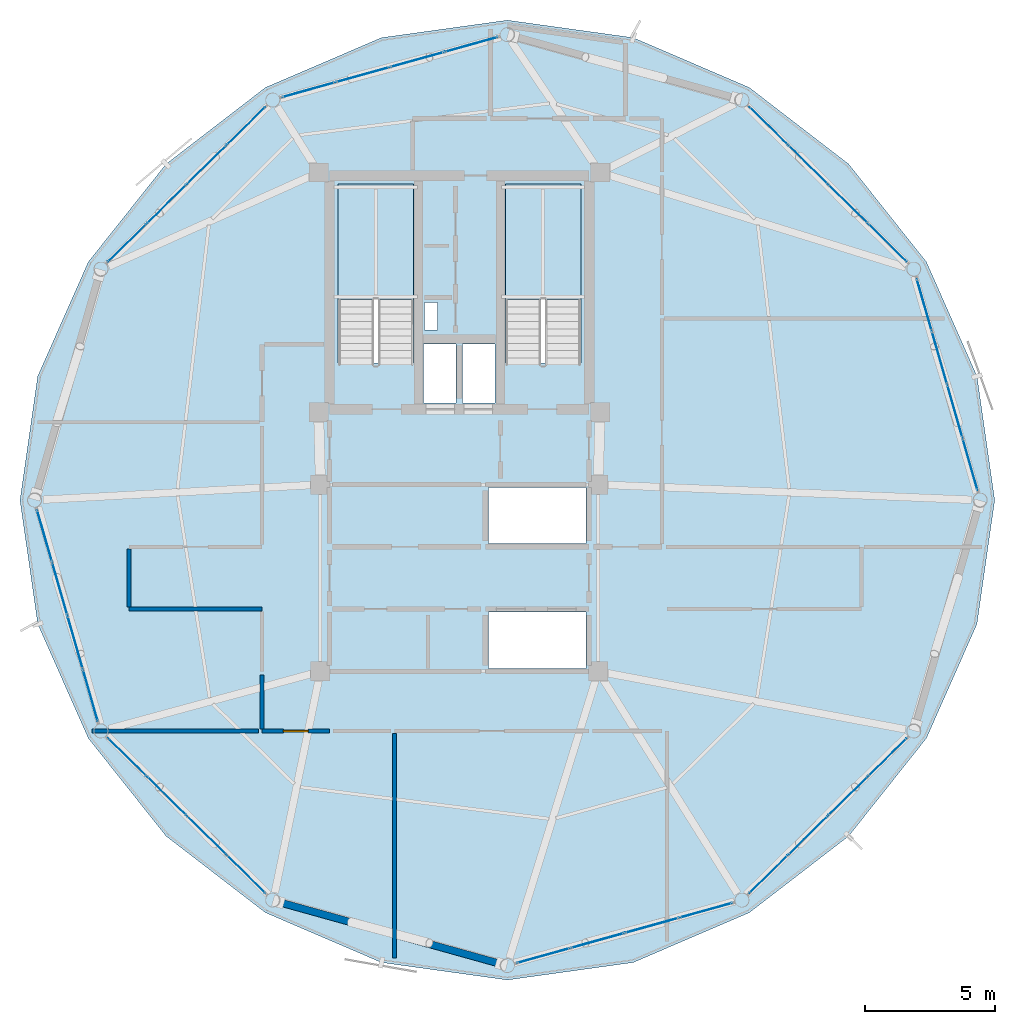
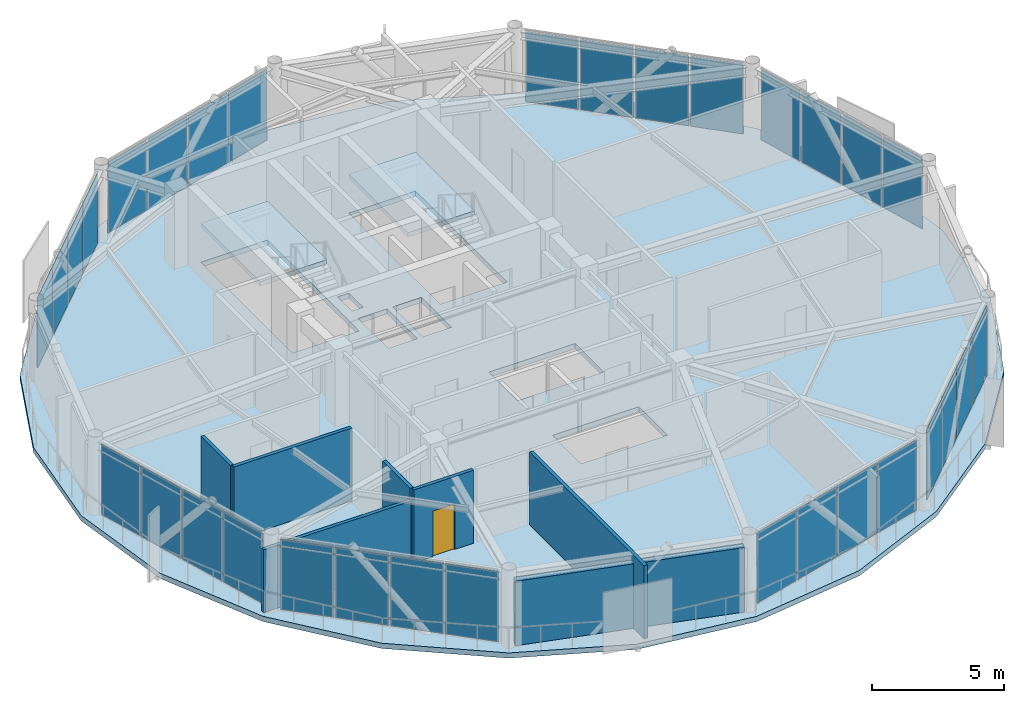
# One storey, part 20 of 27: 32 plates, 7 walls, 3 slabs, 1 door, 1 opening, 10 elements without a shape of their own.
"""IFC4 building model written with IfcOpenShell, lengths in metres."""

from ifc_helpers import new_model, si_unit, direction, frame, frame_2d, origin, origin_2d, place, context, subcontext, project, spatial, polyline, rectangle, outline, extrude, source, transform, mapped, material, layer, layer_set, type_object, type_shapes, element, fill, aggregate, save


model = new_model("IFC4")

# Units and contexts
model_context = context("Model", 3, precision=1e-05, world=origin(), true_north=direction((0.0, 1.0)))
body_context = subcontext(model_context, "Body", "Model", "MODEL_VIEW")
ifc_project = project(units=[si_unit("LENGTHUNIT", "METRE"), si_unit("AREAUNIT", "SQUARE_METRE"), si_unit("VOLUMEUNIT", "CUBIC_METRE"), si_unit("PLANEANGLEUNIT", "RADIAN"), si_unit("MASSUNIT", "GRAM", prefix="KILO")], contexts=[model_context])

# Site, building, storey
site_placement = place(None, origin())
site = spatial("IfcSite", under=ifc_project, at=site_placement, CompositionType="ELEMENT")
building_placement = place(site_placement, origin())
building = spatial("IfcBuilding", under=site, at=building_placement, Name="Varnakorn Sky Granary", CompositionType="ELEMENT")
storey_placement = place(building_placement, frame((0.0, 0.0, 263.39990234375)))
storey = spatial("IfcBuildingStorey", under=building, at=storey_placement, Name="L67", CompositionType="ELEMENT", Elevation=263.39990234375)

# Stair, slab
ifc_material_1 = material(Name="Concrete C40/50", Category="concrete")
stair_type = type_object("IfcStairType", Name="ST-MAIN-ASSEMBLY", PredefinedType="HALF_TURN_STAIR", material=ifc_material_1)
stair_1_placement = place(storey_placement, origin())
stair_1 = element("IfcStair", 1, at=stair_1_placement, inside=storey, type_object=stair_type, Name="L67 Protected Exit Stair ST-1", PredefinedType="HALF_TURN_STAIR")
ifc_layer_1 = layer(ifc_material_1, 0.199951171875, Name="Concrete C40/50")
ifc_layer_set_1 = layer_set([ifc_layer_1], Name="Concrete C40/50")
slab_type_1 = type_object("IfcSlabType", Name="ST-MAIN-LAND", PredefinedType="LANDING", material=ifc_layer_set_1)
slab_1_placement = place(storey_placement, frame((0.0, 0.0, 1.60009765625)))
slab_1 = element("IfcSlab", 2, at=slab_1_placement, type_object=slab_type_1, Name="ST-1 landing 1", PredefinedType="LANDING", context=body_context, shape_type="SweptSolid", body=[
    extrude(outline(polyline([(1.239990234375, 7.719970703125), (1.239990234375, 12.179931640625), (-1.669921875, 12.179931640625), (-1.669921875, 7.719970703125), (1.239990234375, 7.719970703125)])), origin(), (0.0, 0.0, 1.0), 0.199951171875),
])
aggregate(stair_1, [slab_1])

stair_2_placement = place(storey_placement, origin())
stair_2 = element("IfcStair", 3, at=stair_2_placement, inside=storey, type_object=stair_type, Name="L67 Protected Exit Stair ST-2", PredefinedType="HALF_TURN_STAIR")
slab_2_placement = place(storey_placement, frame((0.0, 0.0, 1.60009765625)))
slab_2 = element("IfcSlab", 4, at=slab_2_placement, type_object=slab_type_1, Name="ST-2 landing 1", PredefinedType="LANDING", context=body_context, shape_type="SweptSolid", body=[
    extrude(outline(polyline([(7.679931640625, 7.719970703125), (7.679931640625, 12.179931640625), (4.77001953125, 12.179931640625), (4.77001953125, 7.719970703125), (7.679931640625, 7.719970703125)])), origin(), (0.0, 0.0, 1.0), 0.199951171875),
])
aggregate(stair_2, [slab_2])

# Slab
ifc_material_2 = material(Name="Concrete C50/60", Category="concrete")
ifc_layer_2 = layer(ifc_material_2, 0.239990234375, Name="Concrete C50/60")
ifc_layer_set_2 = layer_set([ifc_layer_2], Name="Concrete C50/60")
slab_type_2 = type_object("IfcSlabType", Name="ST-SL-TWR-240", PredefinedType="FLOOR", material=ifc_layer_set_2)
slab_3_placement = place(storey_placement, frame((0.0, 0.0, -0.239990234375)))
element("IfcSlab", 5, at=slab_3_placement, inside=storey, type_object=slab_type_2, Name="Level L67 Structural Floor Slab", PredefinedType="FLOOR", context=body_context, shape_type="SweptSolid", body=[
    extrude(outline(polyline([(23.6240234375, 0.0), (22.94091796875, 4.773193359375), (20.99169921875, 9.176025390625), (17.997802734375, 12.945068359375), (14.16943359375, 15.893310546875), (9.697509765625, 17.813720703125), (4.85009765625, 18.487060546875), (0.002685546875, 17.813720703125), (-4.469482421875, 15.893310546875), (-8.2978515625, 12.945068359375), (-11.291748046875, 9.176025390625), (-13.24072265625, 4.773193359375), (-13.924072265625, 0.0), (-13.24072265625, -4.773193359375), (-11.291748046875, -9.176025390625), (-8.2978515625, -12.945068359375), (-4.469482421875, -15.893310546875), (0.002685546875, -17.813720703125), (4.85009765625, -18.487060546875), (9.697509765625, -17.813720703125), (14.16943359375, -15.893310546875), (17.997802734375, -12.945068359375), (20.99169921875, -9.176025390625), (22.94091796875, -4.773193359375), (23.6240234375, 0.0)]), holes=[polyline([(1.239990234375, 5.27490234375), (1.239990234375, 12.179931640625), (-1.669921875, 12.179931640625), (-1.669921875, 5.27490234375), (1.239990234375, 5.27490234375)]), polyline([(7.679931640625, 5.27490234375), (7.679931640625, 12.179931640625), (4.77001953125, 12.179931640625), (4.77001953125, 5.27490234375), (7.679931640625, 5.27490234375)]), polyline([(1.659912109375, 6.550048828125), (2.14990234375, 6.550048828125), (2.14990234375, 7.6201171875), (1.659912109375, 7.6201171875), (1.659912109375, 6.550048828125)]), polyline([(1.6201171875, 3.739990234375), (2.8798828125, 3.739990234375), (2.8798828125, 6.010009765625), (1.6201171875, 6.010009765625), (1.6201171875, 3.739990234375)]), polyline([(3.1201171875, 3.739990234375), (4.3798828125, 3.739990234375), (4.3798828125, 6.010009765625), (3.1201171875, 6.010009765625), (3.1201171875, 3.739990234375)]), polyline([(4.1201171875, -1.679931640625), (7.8798828125, -1.679931640625), (7.8798828125, 0.47998046875), (4.1201171875, 0.47998046875), (4.1201171875, -1.679931640625)]), polyline([(4.1201171875, -6.47998046875), (7.8798828125, -6.47998046875), (7.8798828125, -4.320068359375), (4.1201171875, -4.320068359375), (4.1201171875, -6.47998046875)])]), origin(), (0.0, 0.0, 1.0), 0.239990234375),
])

# Curtain wall, plates
ifc_material_3 = material(Name="Anodised Bronze Aluminium Alloy 6063-T6", Category="aluminium")
ifc_layer_3 = layer(ifc_material_3, 0.159912109375, Name="Anodised Bronze Aluminium Alloy 6063-T6")
ifc_layer_set_3 = layer_set([ifc_layer_3], Name="Anodised Bronze Aluminium Alloy 6063-T6")
curtain_wall_type = type_object("IfcCurtainWallType", Name="CW-OFF-1", PredefinedType="USERDEFINED", material=ifc_layer_set_3)
curtain_wall_1_placement = place(storey_placement, origin())
curtain_wall_1 = element("IfcCurtainWall", 6, at=curtain_wall_1_placement, inside=storey, type_object=curtain_wall_type, Name="Unitised Curtain Wall CW6 CW-L67-B01", ObjectType="CURTAIN WALL", PredefinedType="USERDEFINED")
ifc_material_4 = material(Name="Low-E Tinted Laminated Glass", Category="glass")
ifc_layer_4 = layer(ifc_material_4, 0.02392578125, Name="Low-E Tinted Laminated Glass")
ifc_layer_set_4 = layer_set([ifc_layer_4], Name="Low-E Tinted Laminated Glass")
plate_type = type_object("IfcPlateType", Name="CW-OFF-1-PNL", PredefinedType="CURTAIN_PANEL")
shared_shape_1 = source(origin(), body_context, "Body", "SweptSolid", [
    extrude(rectangle(XDim=2.048095703125, YDim=0.02392578125, at=origin_2d()), origin(), (0.0, 0.0, 1.0), 3.22998046875),
])
plate_1_placement = place(storey_placement, frame((20.91015625, 7.528076171875, 0.065185546875), z_axis=(0.0, 0.0, 1.0), x_axis=(0.276251999026, -0.961085237133, 0.0)))
plate_1 = element("IfcPlate", 7, at=plate_1_placement, type_object=plate_type, material=ifc_layer_set_4, Name="CW6 vision glazing unit 1.1", PredefinedType="CURTAIN_PANEL", context=body_context, shape_type="MappedRepresentation", body=[
    mapped(shared_shape_1, transform((0.0, 0.0, 0.0), x_axis=(1.0, 0.0, 0.0), y_axis=(0.0, 1.0, 0.0), z_axis=(0.0, 0.0, 1.0), scale=1.0)),
])
plate_2_placement = place(storey_placement, frame((22.679443359375, 1.373046875, 0.065185546875), z_axis=(0.0, 0.0, 1.0), x_axis=(0.276251999026, -0.961085237133, 0.0)))
plate_2 = element("IfcPlate", 8, at=plate_2_placement, type_object=plate_type, material=ifc_layer_set_4, Name="CW6 vision glazing unit 4.1", PredefinedType="CURTAIN_PANEL", context=body_context, shape_type="MappedRepresentation", body=[
    mapped(shared_shape_1, transform((0.0, 0.0, 0.0), x_axis=(1.0, 0.0, 0.0), y_axis=(0.0, 1.0, 0.0), z_axis=(0.0, 0.0, 1.0), scale=1.0)),
])

curtain_wall_2_placement = place(storey_placement, origin())
curtain_wall_2 = element("IfcCurtainWall", 9, at=curtain_wall_2_placement, inside=storey, type_object=curtain_wall_type, Name="Unitised Curtain Wall CW6 CW-L67-B07", ObjectType="CURTAIN WALL", PredefinedType="USERDEFINED")
plate_3_placement = place(storey_placement, frame((-11.210205078125, -7.528076171875, 0.065185546875), z_axis=(0.0, 0.0, 1.0), x_axis=(-0.276251999026, 0.961085237133, 0.0)))
plate_3 = element("IfcPlate", 10, at=plate_3_placement, type_object=plate_type, material=ifc_layer_set_4, Name="CW6 vision glazing unit 1.1", PredefinedType="CURTAIN_PANEL", context=body_context, shape_type="MappedRepresentation", body=[
    mapped(shared_shape_1, transform((0.0, 0.0, 0.0), x_axis=(1.0, 0.0, 0.0), y_axis=(0.0, 1.0, 0.0), z_axis=(0.0, 0.0, 1.0), scale=1.0)),
])
plate_4_placement = place(storey_placement, frame((-12.979248046875, -1.373046875, 0.065185546875), z_axis=(0.0, 0.0, 1.0), x_axis=(-0.276251999026, 0.961085237133, 0.0)))
plate_4 = element("IfcPlate", 11, at=plate_4_placement, type_object=plate_type, material=ifc_layer_set_4, Name="CW6 vision glazing unit 4.1", PredefinedType="CURTAIN_PANEL", context=body_context, shape_type="MappedRepresentation", body=[
    mapped(shared_shape_1, transform((0.0, 0.0, 0.0), x_axis=(1.0, 0.0, 0.0), y_axis=(0.0, 1.0, 0.0), z_axis=(0.0, 0.0, 1.0), scale=1.0)),
])

# Plate
ifc_material_5 = material(Name="Opaque Insulated Aluminium Shadow-Box Unit", Category="aluminium")
ifc_layer_5 = layer(ifc_material_5, 0.02392578125, Name="Opaque Insulated Aluminium Shadow-Box Unit")
ifc_layer_set_5 = layer_set([ifc_layer_5], Name="Opaque Insulated Aluminium Shadow-Box Unit")
shared_shape_2 = source(origin(), body_context, "Body", "SweptSolid", [
    extrude(rectangle(XDim=2.08056640625, YDim=0.02392578125, at=origin_2d()), origin(), (0.0, 0.0, 1.0), 3.22998046875),
])
plate_5_placement = place(storey_placement, frame((21.498291015625, 5.4814453125, 0.065185546875), z_axis=(0.0, 0.0, 1.0), x_axis=(0.276251999026, -0.961085237133, 0.0)))
plate_5 = element("IfcPlate", 12, at=plate_5_placement, type_object=plate_type, material=ifc_layer_set_5, Name="CW6 opaque insulated shadow-box unit 2.1", PredefinedType="CURTAIN_PANEL", context=body_context, shape_type="MappedRepresentation", body=[
    mapped(shared_shape_2, transform((0.0, 0.0, 0.0), x_axis=(1.0, 0.0, 0.0), y_axis=(0.0, 1.0, 0.0), z_axis=(0.0, 0.0, 1.0), scale=1.0)),
])

plate_6_placement = place(storey_placement, frame((22.091064453125, 3.41943359375, 0.065185546875), z_axis=(0.0, 0.0, 1.0), x_axis=(0.276251999026, -0.961085237133, 0.0)))
plate_6 = element("IfcPlate", 13, at=plate_6_placement, type_object=plate_type, material=ifc_layer_set_5, Name="CW6 opaque insulated shadow-box unit 3.1", PredefinedType="CURTAIN_PANEL", context=body_context, shape_type="MappedRepresentation", body=[
    mapped(shared_shape_2, transform((0.0, 0.0, 0.0), x_axis=(1.0, 0.0, 0.0), y_axis=(0.0, 1.0, 0.0), z_axis=(0.0, 0.0, 1.0), scale=1.0)),
])

aggregate(curtain_wall_1, [plate_1, plate_5, plate_6, plate_2])

plate_7_placement = place(storey_placement, frame((-11.79833984375, -5.4814453125, 0.065185546875), z_axis=(0.0, 0.0, 1.0), x_axis=(-0.276251999026, 0.961085237133, 0.0)))
plate_7 = element("IfcPlate", 14, at=plate_7_placement, type_object=plate_type, material=ifc_layer_set_5, Name="CW6 opaque insulated shadow-box unit 2.1", PredefinedType="CURTAIN_PANEL", context=body_context, shape_type="MappedRepresentation", body=[
    mapped(shared_shape_2, transform((0.0, 0.0, 0.0), x_axis=(1.0, 0.0, 0.0), y_axis=(0.0, 1.0, 0.0), z_axis=(0.0, 0.0, 1.0), scale=1.0)),
])

plate_8_placement = place(storey_placement, frame((-12.39111328125, -3.41943359375, 0.065185546875), z_axis=(0.0, 0.0, 1.0), x_axis=(-0.276251999026, 0.961085237133, 0.0)))
plate_8 = element("IfcPlate", 15, at=plate_8_placement, type_object=plate_type, material=ifc_layer_set_5, Name="CW6 opaque insulated shadow-box unit 3.1", PredefinedType="CURTAIN_PANEL", context=body_context, shape_type="MappedRepresentation", body=[
    mapped(shared_shape_2, transform((0.0, 0.0, 0.0), x_axis=(1.0, 0.0, 0.0), y_axis=(0.0, 1.0, 0.0), z_axis=(0.0, 0.0, 1.0), scale=1.0)),
])

aggregate(curtain_wall_2, [plate_3, plate_7, plate_8, plate_4])

# Curtain wall, plates
curtain_wall_3_placement = place(storey_placement, origin())
curtain_wall_3 = element("IfcCurtainWall", 16, at=curtain_wall_3_placement, inside=storey, type_object=curtain_wall_type, Name="Unitised Curtain Wall CW6 CW-L67-B02", ObjectType="CURTAIN WALL", PredefinedType="USERDEFINED")
shared_shape_3 = source(origin(), body_context, "Body", "SweptSolid", [
    extrude(rectangle(XDim=2.05517578125, YDim=0.02392578125, at=origin_2d()), origin(), (0.0, 0.0, 1.0), 3.22998046875),
])
plate_9_placement = place(storey_placement, frame((14.915283203125, 14.41259765625, 0.065185546875), z_axis=(0.0, 0.0, 1.0), x_axis=(0.71272847856, -0.701440030116, 0.0)))
plate_9 = element("IfcPlate", 17, at=plate_9_placement, type_object=plate_type, material=ifc_layer_set_4, Name="CW6 vision glazing unit 1.1", PredefinedType="CURTAIN_PANEL", context=body_context, shape_type="MappedRepresentation", body=[
    mapped(shared_shape_3, transform((0.0, 0.0, 0.0), x_axis=(1.0, 0.0, 0.0), y_axis=(0.0, 1.0, 0.0), z_axis=(0.0, 0.0, 1.0), scale=1.0)),
])
plate_10_placement = place(storey_placement, frame((19.494873046875, 9.905517578125, 0.065185546875), z_axis=(0.0, 0.0, 1.0), x_axis=(0.71272847856, -0.701440030116, 0.0)))
plate_10 = element("IfcPlate", 18, at=plate_10_placement, type_object=plate_type, material=ifc_layer_set_4, Name="CW6 vision glazing unit 4.1", PredefinedType="CURTAIN_PANEL", context=body_context, shape_type="MappedRepresentation", body=[
    mapped(shared_shape_3, transform((0.0, 0.0, 0.0), x_axis=(1.0, 0.0, 0.0), y_axis=(0.0, 1.0, 0.0), z_axis=(0.0, 0.0, 1.0), scale=1.0)),
])

curtain_wall_4_placement = place(storey_placement, origin())
curtain_wall_4 = element("IfcCurtainWall", 19, at=curtain_wall_4_placement, inside=storey, type_object=curtain_wall_type, Name="Unitised Curtain Wall CW6 CW-L67-B05", ObjectType="CURTAIN WALL", PredefinedType="USERDEFINED")
plate_11_placement = place(storey_placement, frame((-9.794677734375, 9.905517578125, 0.065185546875), z_axis=(0.0, 0.0, 1.0), x_axis=(0.71272847856, 0.701440030116, 0.0)))
plate_11 = element("IfcPlate", 20, at=plate_11_placement, type_object=plate_type, material=ifc_layer_set_4, Name="CW6 vision glazing unit 1.1", PredefinedType="CURTAIN_PANEL", context=body_context, shape_type="MappedRepresentation", body=[
    mapped(shared_shape_3, transform((0.0, 0.0, 0.0), x_axis=(1.0, 0.0, 0.0), y_axis=(0.0, 1.0, 0.0), z_axis=(0.0, 0.0, 1.0), scale=1.0)),
])
plate_12_placement = place(storey_placement, frame((-5.215087890625, 14.41259765625, 0.065185546875), z_axis=(0.0, 0.0, 1.0), x_axis=(0.71272847856, 0.701440030116, 0.0)))
plate_12 = element("IfcPlate", 21, at=plate_12_placement, type_object=plate_type, material=ifc_layer_set_4, Name="CW6 vision glazing unit 4.1", PredefinedType="CURTAIN_PANEL", context=body_context, shape_type="MappedRepresentation", body=[
    mapped(shared_shape_3, transform((0.0, 0.0, 0.0), x_axis=(1.0, 0.0, 0.0), y_axis=(0.0, 1.0, 0.0), z_axis=(0.0, 0.0, 1.0), scale=1.0)),
])

curtain_wall_5_placement = place(storey_placement, origin())
curtain_wall_5 = element("IfcCurtainWall", 22, at=curtain_wall_5_placement, inside=storey, type_object=curtain_wall_type, Name="Unitised Curtain Wall CW6 CW-L67-B08", ObjectType="CURTAIN WALL", PredefinedType="USERDEFINED")
plate_13_placement = place(storey_placement, frame((-5.215087890625, -14.41259765625, 0.065185546875), z_axis=(0.0, 0.0, 1.0), x_axis=(-0.71272847856, 0.701440030116, 0.0)))
plate_13 = element("IfcPlate", 23, at=plate_13_placement, type_object=plate_type, material=ifc_layer_set_4, Name="CW6 vision glazing unit 1.1", PredefinedType="CURTAIN_PANEL", context=body_context, shape_type="MappedRepresentation", body=[
    mapped(shared_shape_3, transform((0.0, 0.0, 0.0), x_axis=(1.0, 0.0, 0.0), y_axis=(0.0, 1.0, 0.0), z_axis=(0.0, 0.0, 1.0), scale=1.0)),
])
plate_14_placement = place(storey_placement, frame((-9.794677734375, -9.905517578125, 0.065185546875), z_axis=(0.0, 0.0, 1.0), x_axis=(-0.71272847856, 0.701440030116, 0.0)))
plate_14 = element("IfcPlate", 24, at=plate_14_placement, type_object=plate_type, material=ifc_layer_set_4, Name="CW6 vision glazing unit 4.1", PredefinedType="CURTAIN_PANEL", context=body_context, shape_type="MappedRepresentation", body=[
    mapped(shared_shape_3, transform((0.0, 0.0, 0.0), x_axis=(1.0, 0.0, 0.0), y_axis=(0.0, 1.0, 0.0), z_axis=(0.0, 0.0, 1.0), scale=1.0)),
])

curtain_wall_6_placement = place(storey_placement, origin())
curtain_wall_6 = element("IfcCurtainWall", 25, at=curtain_wall_6_placement, inside=storey, type_object=curtain_wall_type, Name="Unitised Curtain Wall CW6 CW-L67-B11", ObjectType="CURTAIN WALL", PredefinedType="USERDEFINED")
plate_15_placement = place(storey_placement, frame((19.494873046875, -9.905517578125, 0.065185546875), z_axis=(0.0, 0.0, 1.0), x_axis=(-0.71272847856, -0.701440030116, 0.0)))
plate_15 = element("IfcPlate", 26, at=plate_15_placement, type_object=plate_type, material=ifc_layer_set_4, Name="CW6 vision glazing unit 1.1", PredefinedType="CURTAIN_PANEL", context=body_context, shape_type="MappedRepresentation", body=[
    mapped(shared_shape_3, transform((0.0, 0.0, 0.0), x_axis=(1.0, 0.0, 0.0), y_axis=(0.0, 1.0, 0.0), z_axis=(0.0, 0.0, 1.0), scale=1.0)),
])
plate_16_placement = place(storey_placement, frame((14.915283203125, -14.41259765625, 0.065185546875), z_axis=(0.0, 0.0, 1.0), x_axis=(-0.71272847856, -0.701440030116, 0.0)))
plate_16 = element("IfcPlate", 27, at=plate_16_placement, type_object=plate_type, material=ifc_layer_set_4, Name="CW6 vision glazing unit 4.1", PredefinedType="CURTAIN_PANEL", context=body_context, shape_type="MappedRepresentation", body=[
    mapped(shared_shape_3, transform((0.0, 0.0, 0.0), x_axis=(1.0, 0.0, 0.0), y_axis=(0.0, 1.0, 0.0), z_axis=(0.0, 0.0, 1.0), scale=1.0)),
])

# Plate
shared_shape_4 = source(origin(), body_context, "Body", "SweptSolid", [
    extrude(rectangle(XDim=2.087646484375, YDim=0.02392578125, at=origin_2d()), origin(), (0.0, 0.0, 1.0), 3.22998046875),
])
plate_17_placement = place(storey_placement, frame((16.43798828125, 12.9140625, 0.065185546875), z_axis=(0.0, 0.0, 1.0), x_axis=(0.71272847856, -0.701440030116, 0.0)))
plate_17 = element("IfcPlate", 28, at=plate_17_placement, type_object=plate_type, material=ifc_layer_set_5, Name="CW6 opaque insulated shadow-box unit 2.1", PredefinedType="CURTAIN_PANEL", context=body_context, shape_type="MappedRepresentation", body=[
    mapped(shared_shape_4, transform((0.0, 0.0, 0.0), x_axis=(1.0, 0.0, 0.0), y_axis=(0.0, 1.0, 0.0), z_axis=(0.0, 0.0, 1.0), scale=1.0)),
])

plate_18_placement = place(storey_placement, frame((17.97216796875, 11.404052734375, 0.065185546875), z_axis=(0.0, 0.0, 1.0), x_axis=(0.71272847856, -0.701440030116, 0.0)))
plate_18 = element("IfcPlate", 29, at=plate_18_placement, type_object=plate_type, material=ifc_layer_set_5, Name="CW6 opaque insulated shadow-box unit 3.1", PredefinedType="CURTAIN_PANEL", context=body_context, shape_type="MappedRepresentation", body=[
    mapped(shared_shape_4, transform((0.0, 0.0, 0.0), x_axis=(1.0, 0.0, 0.0), y_axis=(0.0, 1.0, 0.0), z_axis=(0.0, 0.0, 1.0), scale=1.0)),
])

aggregate(curtain_wall_3, [plate_9, plate_17, plate_18, plate_10])

plate_19_placement = place(storey_placement, frame((-8.272216796875, 11.404052734375, 0.065185546875), z_axis=(0.0, 0.0, 1.0), x_axis=(0.71272847856, 0.701440030116, 0.0)))
plate_19 = element("IfcPlate", 30, at=plate_19_placement, type_object=plate_type, material=ifc_layer_set_5, Name="CW6 opaque insulated shadow-box unit 2.1", PredefinedType="CURTAIN_PANEL", context=body_context, shape_type="MappedRepresentation", body=[
    mapped(shared_shape_4, transform((0.0, 0.0, 0.0), x_axis=(1.0, 0.0, 0.0), y_axis=(0.0, 1.0, 0.0), z_axis=(0.0, 0.0, 1.0), scale=1.0)),
])

plate_20_placement = place(storey_placement, frame((-6.73779296875, 12.9140625, 0.065185546875), z_axis=(0.0, 0.0, 1.0), x_axis=(0.71272847856, 0.701440030116, 0.0)))
plate_20 = element("IfcPlate", 31, at=plate_20_placement, type_object=plate_type, material=ifc_layer_set_5, Name="CW6 opaque insulated shadow-box unit 3.1", PredefinedType="CURTAIN_PANEL", context=body_context, shape_type="MappedRepresentation", body=[
    mapped(shared_shape_4, transform((0.0, 0.0, 0.0), x_axis=(1.0, 0.0, 0.0), y_axis=(0.0, 1.0, 0.0), z_axis=(0.0, 0.0, 1.0), scale=1.0)),
])

aggregate(curtain_wall_4, [plate_11, plate_19, plate_20, plate_12])

plate_21_placement = place(storey_placement, frame((-6.73779296875, -12.9140625, 0.065185546875), z_axis=(0.0, 0.0, 1.0), x_axis=(-0.71272847856, 0.701440030116, 0.0)))
plate_21 = element("IfcPlate", 32, at=plate_21_placement, type_object=plate_type, material=ifc_layer_set_5, Name="CW6 opaque insulated shadow-box unit 2.1", PredefinedType="CURTAIN_PANEL", context=body_context, shape_type="MappedRepresentation", body=[
    mapped(shared_shape_4, transform((0.0, 0.0, 0.0), x_axis=(1.0, 0.0, 0.0), y_axis=(0.0, 1.0, 0.0), z_axis=(0.0, 0.0, 1.0), scale=1.0)),
])

plate_22_placement = place(storey_placement, frame((-8.272216796875, -11.404052734375, 0.065185546875), z_axis=(0.0, 0.0, 1.0), x_axis=(-0.71272847856, 0.701440030116, 0.0)))
plate_22 = element("IfcPlate", 33, at=plate_22_placement, type_object=plate_type, material=ifc_layer_set_5, Name="CW6 opaque insulated shadow-box unit 3.1", PredefinedType="CURTAIN_PANEL", context=body_context, shape_type="MappedRepresentation", body=[
    mapped(shared_shape_4, transform((0.0, 0.0, 0.0), x_axis=(1.0, 0.0, 0.0), y_axis=(0.0, 1.0, 0.0), z_axis=(0.0, 0.0, 1.0), scale=1.0)),
])

aggregate(curtain_wall_5, [plate_13, plate_21, plate_22, plate_14])

plate_23_placement = place(storey_placement, frame((17.97216796875, -11.404052734375, 0.065185546875), z_axis=(0.0, 0.0, 1.0), x_axis=(-0.71272847856, -0.701440030116, 0.0)))
plate_23 = element("IfcPlate", 34, at=plate_23_placement, type_object=plate_type, material=ifc_layer_set_5, Name="CW6 opaque insulated shadow-box unit 2.1", PredefinedType="CURTAIN_PANEL", context=body_context, shape_type="MappedRepresentation", body=[
    mapped(shared_shape_4, transform((0.0, 0.0, 0.0), x_axis=(1.0, 0.0, 0.0), y_axis=(0.0, 1.0, 0.0), z_axis=(0.0, 0.0, 1.0), scale=1.0)),
])

plate_24_placement = place(storey_placement, frame((16.43798828125, -12.9140625, 0.065185546875), z_axis=(0.0, 0.0, 1.0), x_axis=(-0.71272847856, -0.701440030116, 0.0)))
plate_24 = element("IfcPlate", 35, at=plate_24_placement, type_object=plate_type, material=ifc_layer_set_5, Name="CW6 opaque insulated shadow-box unit 3.1", PredefinedType="CURTAIN_PANEL", context=body_context, shape_type="MappedRepresentation", body=[
    mapped(shared_shape_4, transform((0.0, 0.0, 0.0), x_axis=(1.0, 0.0, 0.0), y_axis=(0.0, 1.0, 0.0), z_axis=(0.0, 0.0, 1.0), scale=1.0)),
])

aggregate(curtain_wall_6, [plate_15, plate_23, plate_24, plate_16])

# Curtain wall, plates
curtain_wall_7_placement = place(storey_placement, origin())
curtain_wall_7 = element("IfcCurtainWall", 36, at=curtain_wall_7_placement, inside=storey, type_object=curtain_wall_type, Name="Unitised Curtain Wall CW6 CW-L67-B04", ObjectType="CURTAIN WALL", PredefinedType="USERDEFINED")
shared_shape_5 = source(origin(), body_context, "Body", "SweptSolid", [
    extrude(rectangle(XDim=2.080078125, YDim=0.02392578125, at=origin_2d()), origin(), (0.0, 0.0, 1.0), 3.22998046875),
])
plate_25_placement = place(storey_placement, frame((-2.802978515625, 15.8046875, 0.065185546875), z_axis=(0.0, 0.0, 1.0), x_axis=(0.963307237966, 0.268401127573, 0.0)))
plate_25 = element("IfcPlate", 37, at=plate_25_placement, type_object=plate_type, material=ifc_layer_set_4, Name="CW6 vision glazing unit 1.1", PredefinedType="CURTAIN_PANEL", context=body_context, shape_type="MappedRepresentation", body=[
    mapped(shared_shape_5, transform((0.0, 0.0, 0.0), x_axis=(1.0, 0.0, 0.0), y_axis=(0.0, 1.0, 0.0), z_axis=(0.0, 0.0, 1.0), scale=1.0)),
])
plate_26_placement = place(storey_placement, frame((3.45849609375, 17.54931640625, 0.065185546875), z_axis=(0.0, 0.0, 1.0), x_axis=(0.963307237966, 0.268401127573, 0.0)))
plate_26 = element("IfcPlate", 38, at=plate_26_placement, type_object=plate_type, material=ifc_layer_set_4, Name="CW6 vision glazing unit 4.1", PredefinedType="CURTAIN_PANEL", context=body_context, shape_type="MappedRepresentation", body=[
    mapped(shared_shape_5, transform((0.0, 0.0, 0.0), x_axis=(1.0, 0.0, 0.0), y_axis=(0.0, 1.0, 0.0), z_axis=(0.0, 0.0, 1.0), scale=1.0)),
])

curtain_wall_8_placement = place(storey_placement, origin())
curtain_wall_8 = element("IfcCurtainWall", 39, at=curtain_wall_8_placement, inside=storey, type_object=curtain_wall_type, Name="Unitised Curtain Wall CW6 CW-L67-B10", ObjectType="CURTAIN WALL", PredefinedType="USERDEFINED")
plate_27_placement = place(storey_placement, frame((12.5029296875, -15.8046875, 0.065185546875), z_axis=(0.0, 0.0, 1.0), x_axis=(-0.963307237966, -0.268401127573, 0.0)))
plate_27 = element("IfcPlate", 40, at=plate_27_placement, type_object=plate_type, material=ifc_layer_set_4, Name="CW6 vision glazing unit 1.1", PredefinedType="CURTAIN_PANEL", context=body_context, shape_type="MappedRepresentation", body=[
    mapped(shared_shape_5, transform((0.0, 0.0, 0.0), x_axis=(1.0, 0.0, 0.0), y_axis=(0.0, 1.0, 0.0), z_axis=(0.0, 0.0, 1.0), scale=1.0)),
])
plate_28_placement = place(storey_placement, frame((6.241455078125, -17.54931640625, 0.065185546875), z_axis=(0.0, 0.0, 1.0), x_axis=(-0.963307237966, -0.268401127573, 0.0)))
plate_28 = element("IfcPlate", 41, at=plate_28_placement, type_object=plate_type, material=ifc_layer_set_4, Name="CW6 vision glazing unit 4.1", PredefinedType="CURTAIN_PANEL", context=body_context, shape_type="MappedRepresentation", body=[
    mapped(shared_shape_5, transform((0.0, 0.0, 0.0), x_axis=(1.0, 0.0, 0.0), y_axis=(0.0, 1.0, 0.0), z_axis=(0.0, 0.0, 1.0), scale=1.0)),
])

# Plate
shared_shape_6 = source(origin(), body_context, "Body", "SweptSolid", [
    extrude(rectangle(XDim=2.112548828125, YDim=0.02392578125, at=origin_2d()), origin(), (0.0, 0.0, 1.0), 3.22998046875),
])
type_shapes(plate_type, [shared_shape_1, shared_shape_2, shared_shape_3, shared_shape_4, shared_shape_5, shared_shape_6])
plate_29_placement = place(storey_placement, frame((-0.720947265625, 16.384765625, 0.065185546875), z_axis=(0.0, 0.0, 1.0), x_axis=(0.963307237966, 0.268401127573, 0.0)))
plate_29 = element("IfcPlate", 42, at=plate_29_placement, type_object=plate_type, material=ifc_layer_set_5, Name="CW6 opaque insulated shadow-box unit 2.1", PredefinedType="CURTAIN_PANEL", context=body_context, shape_type="MappedRepresentation", body=[
    mapped(shared_shape_6, transform((0.0, 0.0, 0.0), x_axis=(1.0, 0.0, 0.0), y_axis=(0.0, 1.0, 0.0), z_axis=(0.0, 0.0, 1.0), scale=1.0)),
])

plate_30_placement = place(storey_placement, frame((1.37646484375, 16.96923828125, 0.065185546875), z_axis=(0.0, 0.0, 1.0), x_axis=(0.963307237966, 0.268401127573, 0.0)))
plate_30 = element("IfcPlate", 43, at=plate_30_placement, type_object=plate_type, material=ifc_layer_set_5, Name="CW6 opaque insulated shadow-box unit 3.1", PredefinedType="CURTAIN_PANEL", context=body_context, shape_type="MappedRepresentation", body=[
    mapped(shared_shape_6, transform((0.0, 0.0, 0.0), x_axis=(1.0, 0.0, 0.0), y_axis=(0.0, 1.0, 0.0), z_axis=(0.0, 0.0, 1.0), scale=1.0)),
])

aggregate(curtain_wall_7, [plate_25, plate_29, plate_30, plate_26])

plate_31_placement = place(storey_placement, frame((10.421142578125, -16.384765625, 0.065185546875), z_axis=(0.0, 0.0, 1.0), x_axis=(-0.963307237966, -0.268401127573, 0.0)))
plate_31 = element("IfcPlate", 44, at=plate_31_placement, type_object=plate_type, material=ifc_layer_set_5, Name="CW6 opaque insulated shadow-box unit 2.1", PredefinedType="CURTAIN_PANEL", context=body_context, shape_type="MappedRepresentation", body=[
    mapped(shared_shape_6, transform((0.0, 0.0, 0.0), x_axis=(1.0, 0.0, 0.0), y_axis=(0.0, 1.0, 0.0), z_axis=(0.0, 0.0, 1.0), scale=1.0)),
])

plate_32_placement = place(storey_placement, frame((8.323486328125, -16.96923828125, 0.065185546875), z_axis=(0.0, 0.0, 1.0), x_axis=(-0.963307237966, -0.268401127573, 0.0)))
plate_32 = element("IfcPlate", 45, at=plate_32_placement, type_object=plate_type, material=ifc_layer_set_5, Name="CW6 opaque insulated shadow-box unit 3.1", PredefinedType="CURTAIN_PANEL", context=body_context, shape_type="MappedRepresentation", body=[
    mapped(shared_shape_6, transform((0.0, 0.0, 0.0), x_axis=(1.0, 0.0, 0.0), y_axis=(0.0, 1.0, 0.0), z_axis=(0.0, 0.0, 1.0), scale=1.0)),
])

aggregate(curtain_wall_8, [plate_27, plate_31, plate_32, plate_28])

# Wall
ifc_material_6 = material(Name="Precast concrete C40/50", Category="concrete")
ifc_layer_6 = layer(ifc_material_6, 0.280029296875, Name="Precast concrete C40/50")
ifc_layer_set_6 = layer_set([ifc_layer_6], Name="Precast concrete C40/50")
wall_type_1 = type_object("IfcWallType", Name="WT-EW-CRN-280", PredefinedType="SOLIDWALL", material=ifc_layer_set_6)
wall_1_placement = place(storey_placement, frame((4.6240234375, -17.8740234375, 0.0), z_axis=(0.0, 0.0, 1.0), x_axis=(-0.963308611047, 0.268396199458, 0.0)))
element("IfcWall", 46, at=wall_1_placement, inside=storey, type_object=wall_type_1, Name="Agritech Insulated Precast Facade Wall L67-P09", PredefinedType="SOLIDWALL", context=body_context, shape_type="SweptSolid", body=[
    extrude(rectangle(XDim=8.919921875, YDim=0.280029296875, at=frame_2d((4.4599609375, 0.0))), origin(), (0.0, 0.0, 1.0), 2.97021484375),
])

# Wall, opening, door
ifc_material_7 = material(Name="Gypsum Plasterboard on Steel Stud", Category="steel")
ifc_layer_7 = layer(ifc_material_7, 0.14990234375, Name="Gypsum Plasterboard on Steel Stud")
ifc_layer_set_7 = layer_set([ifc_layer_7], Name="Gypsum Plasterboard on Steel Stud")
wall_type_2 = type_object("IfcWallType", Name="WT-PART-150", PredefinedType="PARTITIONING", material=ifc_layer_set_7)
wall_2_placement = place(storey_placement, frame((-4.60009765625, -8.89990234375, 0.0), z_axis=(0.0, 0.0, 1.0), x_axis=(1.0, 0.0, 0.0)))
wall_2 = element("IfcWall", 47, at=wall_2_placement, inside=storey, type_object=wall_type_2, Name="Interior Partition Wall L67-021", PredefinedType="PARTITIONING", context=body_context, shape_type="SweptSolid", body=[
    extrude(rectangle(XDim=2.60009765625, YDim=0.14990234375, at=frame_2d((1.300048828125, 0.0))), origin(), (0.0, 0.0, 1.0), 3.360107421875),
])
opening_placement = place(wall_2_placement, frame((0.824951171875, 0.0, 0.0)))
opening = element("IfcOpeningElement", 48, at=opening_placement, cuts=wall_2, Name="Opening ID-95", PredefinedType="OPENING", context=body_context, shape_type="SweptSolid", body=[
    extrude(rectangle(XDim=0.949951171875, YDim=2.10009765625, at=frame_2d((0.47509765625, 1.050048828125))), frame((0.0, 0.0849609375, 0.0), z_axis=(0.0, -1.0, 0.0), x_axis=(1.0, 0.0, 0.0)), (0.0, 0.0, 1.0), 0.169921875),
])
ifc_material_8 = material(Name="Solid-Core Teak Veneer Leaf", Category="timber")
door_type = type_object("IfcDoorType", Name="DR-INT-950", OperationType="NOTDEFINED", PredefinedType="DOOR", material=ifc_material_8)
door_placement = place(opening_placement, origin())
door = element("IfcDoor", 49, at=door_placement, inside=storey, type_object=door_type, Name="Interior Door L67-021-1", OperationType="SINGLE_SWING_LEFT", OverallHeight=2.10009765625, OverallWidth=0.949951171875, PredefinedType="DOOR", context=body_context, shape_type="SweptSolid", body=[
    extrude(rectangle(XDim=0.949951171875, YDim=2.10009765625, at=frame_2d((0.47509765625, 1.050048828125))), frame((0.0, 0.02490234375, 0.0), z_axis=(0.0, -1.0, 0.0), x_axis=(1.0, 0.0, 0.0)), (0.0, 0.0, 1.0), 0.050048828125),
])
fill(opening, door)

# Walls
wall_3_placement = place(storey_placement, frame((0.5, -8.985107421875, 0.0), z_axis=(0.0, 0.0, 1.0), x_axis=(0.0, -1.0, 0.0)))
element("IfcWall", 50, at=wall_3_placement, inside=storey, type_object=wall_type_2, Name="Interior Partition Wall L67-036", PredefinedType="PARTITIONING", context=body_context, shape_type="SweptSolid", body=[
    extrude(rectangle(XDim=8.656982421875, YDim=0.14990234375, at=frame_2d((4.32861328125, 0.0))), origin(), (0.0, 0.0, 1.0), 3.360107421875),
])
wall_4_placement = place(storey_placement, frame((-11.153076171875, -8.89990234375, 0.0), z_axis=(0.0, 0.0, 1.0), x_axis=(1.0, 0.0, 0.0)))
element("IfcWall", 51, at=wall_4_placement, inside=storey, type_object=wall_type_2, Name="Interior Partition Wall L67-037", PredefinedType="PARTITIONING", context=body_context, shape_type="SweptSolid", body=[
    extrude(rectangle(XDim=6.41796875, YDim=0.14990234375, at=frame_2d((3.208984375, 0.0))), origin(), (0.0, 0.0, 1.0), 2.89208984375),
])
wall_5_placement = place(storey_placement, frame((-9.72412109375, -4.199951171875, 0.0), z_axis=(0.0, 0.0, 1.0), x_axis=(1.0, 0.0, 0.0)))
element("IfcWall", 52, at=wall_5_placement, inside=storey, type_object=wall_type_2, Name="Interior Partition Wall L67-042", PredefinedType="PARTITIONING", context=body_context, shape_type="SweptSolid", body=[
    extrude(rectangle(XDim=5.1240234375, YDim=0.14990234375, at=frame_2d((2.56201171875, 0.0))), origin(), (0.0, 0.0, 1.0), 3.360107421875),
])
wall_6_placement = place(storey_placement, frame((-9.72412109375, -1.885009765625, 0.0), z_axis=(0.0, 0.0, 1.0), x_axis=(0.0, -1.0, 0.0)))
element("IfcWall", 53, at=wall_6_placement, inside=storey, type_object=wall_type_2, Name="Interior Partition Wall L67-044", PredefinedType="PARTITIONING", context=body_context, shape_type="SweptSolid", body=[
    extrude(rectangle(XDim=2.22998046875, YDim=0.14990234375, at=frame_2d((1.114990234375, 0.0))), origin(), (0.0, 0.0, 1.0), 3.360107421875),
])
wall_7_placement = place(storey_placement, frame((-4.60009765625, -6.735107421875, 0.0), z_axis=(0.0, 0.0, 1.0), x_axis=(0.0, -1.0, 0.0)))
element("IfcWall", 54, at=wall_7_placement, inside=storey, type_object=wall_type_2, Name="Interior Partition Wall L67-046", PredefinedType="PARTITIONING", context=body_context, shape_type="SweptSolid", body=[
    extrude(rectangle(XDim=2.079833984375, YDim=0.14990234375, at=frame_2d((1.0400390625, 0.0))), origin(), (0.0, 0.0, 1.0), 3.360107421875),
])

save(model, "model.ifc")
